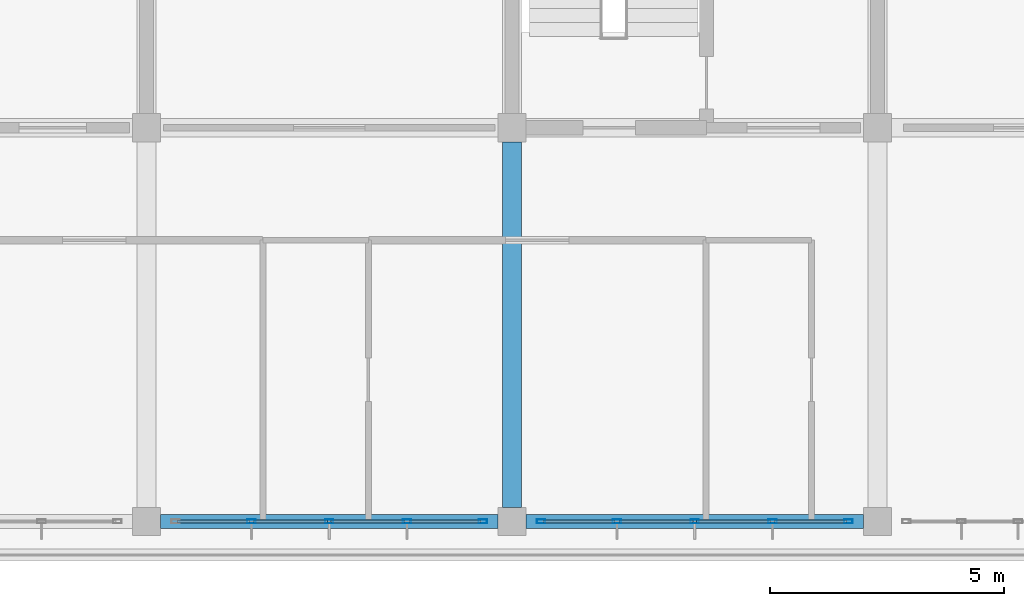
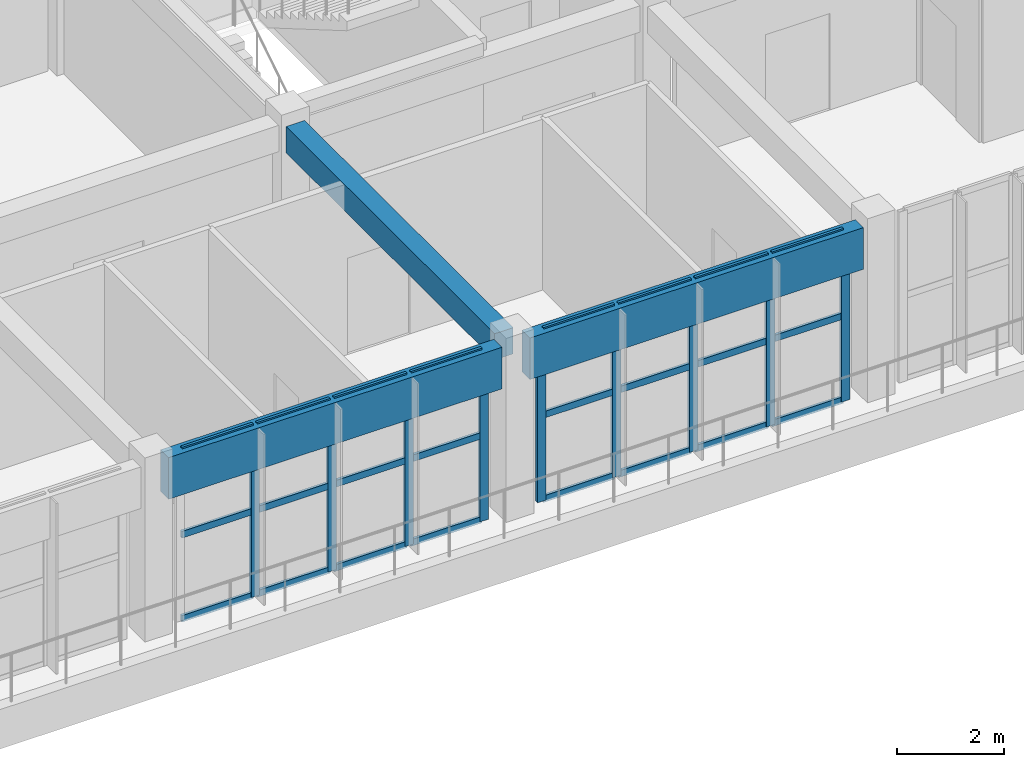
# One storey, part 20 of 50: 33 members, 3 beams, 2 elements without a shape of their own.
"""IFC4 building model written with IfcOpenShell, lengths in metres."""

from ifc_helpers import new_model, si_unit, direction, frame, origin, origin_2d, place, context, subcontext, project, spatial, rectangle, hollow_rectangle, extrude, material, layer, layer_set, material_profile, profile_set, type_object, element, aggregate, save


model = new_model("IFC4")

# Units and contexts
model_context = context("Model", 3, precision=1e-05, world=origin(), true_north=direction((0.0, 1.0)))
body_context = subcontext(model_context, "Body", "Model", "MODEL_VIEW")
ifc_project = project(units=[si_unit("LENGTHUNIT", "METRE"), si_unit("AREAUNIT", "SQUARE_METRE"), si_unit("VOLUMEUNIT", "CUBIC_METRE"), si_unit("PLANEANGLEUNIT", "RADIAN"), si_unit("MASSUNIT", "GRAM", prefix="KILO")], contexts=[model_context])

# Site, building, storey
site_placement = place(None, origin())
site = spatial("IfcSite", under=ifc_project, at=site_placement, CompositionType="ELEMENT")
building_placement = place(site_placement, origin())
building = spatial("IfcBuilding", under=site, at=building_placement, Name="Zizhar Promenade General Hospital", CompositionType="ELEMENT")
storey_placement = place(building_placement, frame((0.0, 0.0, 30.60009765625)))
storey = spatial("IfcBuildingStorey", under=building, at=storey_placement, Name="L07", CompositionType="ELEMENT", Elevation=30.60009765625)

# Beams
ifc_material_1 = material(Name="Precast concrete C40/50", Category="concrete")
ifc_material_profile_1 = material_profile(ifc_material_1, rectangle(XDim=0.300048828125, YDim=0.949951171875, at=origin_2d()))
ifc_profile_set_1 = profile_set([ifc_material_profile_1], Name="Precast concrete C40/50")
beam_type_1 = type_object("IfcBeamType", Name="BM-PC-BAND950", PredefinedType="SPANDREL", material=ifc_profile_set_1)
beam_1_placement = place(storey_placement, frame((86.10009765625, 0.0, 3.434814453125), z_axis=(1.0, 0.0, 0.0), x_axis=(0.0, 1.0, 0.0)))
element("IfcBeam", 1, at=beam_1_placement, inside=storey, type_object=beam_type_1, Name="Grid Beam X L07 (11-0)", PredefinedType="SPANDREL", context=body_context, shape_type="SweptSolid", body=[
    extrude(rectangle(XDim=0.300048828125, YDim=0.949951171875, at=origin_2d()), origin(), (0.0, 0.0, 1.0), 7.199951171875),
])
beam_2_placement = place(storey_placement, frame((93.89990234375, 0.0, 3.434814453125), z_axis=(1.0, 0.0, 0.0), x_axis=(0.0, 1.0, 0.0)))
element("IfcBeam", 2, at=beam_2_placement, inside=storey, type_object=beam_type_1, Name="Grid Beam X L07 (12-0)", PredefinedType="SPANDREL", context=body_context, shape_type="SweptSolid", body=[
    extrude(rectangle(XDim=0.300048828125, YDim=0.949951171875, at=origin_2d()), origin(), (0.0, 0.0, 1.0), 7.2001953125),
])
ifc_material_2 = material(Name="Concrete C35/45", Category="concrete")
ifc_material_profile_2 = material_profile(ifc_material_2, rectangle(XDim=0.39990234375, YDim=0.60009765625, at=origin_2d()))
ifc_profile_set_2 = profile_set([ifc_material_profile_2], Name="Concrete C35/45")
beam_type_2 = type_object("IfcBeamType", Name="BM-RC-400x600", PredefinedType="JOIST", material=ifc_profile_set_2)
beam_3_placement = place(storey_placement, frame((93.60009765625, 0.300048828125, 3.60986328125), z_axis=(0.0, 1.0, 0.0), x_axis=(-1.0, 0.0, 0.0)))
element("IfcBeam", 3, at=beam_3_placement, inside=storey, type_object=beam_type_2, Name="Grid Beam Y L07 (12-0)", PredefinedType="JOIST", context=body_context, shape_type="SweptSolid", body=[
    extrude(rectangle(XDim=0.39990234375, YDim=0.60009765625, at=origin_2d()), origin(), (0.0, 0.0, 1.0), 7.800048828125),
])

# Curtain wall, members
ifc_material_3 = material(Name="Anodised aluminium 6063-T6 and low-E glass", Category="aluminium")
ifc_layer = layer(ifc_material_3, 0.159912109375)
ifc_layer_set = layer_set([ifc_layer], Name="Anodised aluminium 6063-T6 and low-E glass")
curtain_wall_type = type_object("IfcCurtainWallType", Name="CW-WARD-RIB", PredefinedType="NOTDEFINED", material=ifc_layer_set)
curtain_wall_1_placement = place(storey_placement, origin())
curtain_wall_1 = element("IfcCurtainWall", 4, at=curtain_wall_1_placement, inside=storey, type_object=curtain_wall_type, Name="Ward Ribbon Curtain Wall L07-17-1", PredefinedType="NOTDEFINED")
ifc_material_4 = material(Name="Anodised aluminium 6063-T6", Category="aluminium")
ifc_material_profile_3 = material_profile(ifc_material_4, hollow_rectangle(XDim=0.080078125, YDim=0.179931640625, WallThickness=0.0048828125, at=origin_2d()))
ifc_profile_set_3 = profile_set([ifc_material_profile_3], Name="Anodised aluminium 6063-T6")
member_type_1 = type_object("IfcMemberType", Name="CWM-ALU-180x80", PredefinedType="MULLION", material=ifc_profile_set_3)
member_1_placement = place(storey_placement, frame((100.780029296875, 0.0, 0.0), z_axis=(0.0, 0.0, 1.0), x_axis=(0.0, -1.0, 0.0)))
member_1 = element("IfcMember", 5, at=member_1_placement, type_object=member_type_1, Name="CW-13 mullion 1", PredefinedType="MULLION", context=body_context, shape_type="SweptSolid", body=[
    extrude(hollow_rectangle(XDim=0.080078125, YDim=0.179931640625, WallThickness=0.0048828125, at=origin_2d()), origin(), (0.0, 0.0, 1.0), 3.89990234375),
])
member_2_placement = place(storey_placement, frame((99.159912109375, 0.0, 0.0), z_axis=(0.0, 0.0, 1.0), x_axis=(0.0, -1.0, 0.0)))
member_2 = element("IfcMember", 6, at=member_2_placement, type_object=member_type_1, Name="CW-13 mullion 2", PredefinedType="MULLION", context=body_context, shape_type="SweptSolid", body=[
    extrude(hollow_rectangle(XDim=0.080078125, YDim=0.179931640625, WallThickness=0.0048828125, at=origin_2d()), origin(), (0.0, 0.0, 1.0), 3.89990234375),
])
member_3_placement = place(storey_placement, frame((97.5, 0.0, 0.0), z_axis=(0.0, 0.0, 1.0), x_axis=(0.0, -1.0, 0.0)))
member_3 = element("IfcMember", 7, at=member_3_placement, type_object=member_type_1, Name="CW-13 mullion 3", PredefinedType="MULLION", context=body_context, shape_type="SweptSolid", body=[
    extrude(hollow_rectangle(XDim=0.080078125, YDim=0.179931640625, WallThickness=0.0048828125, at=origin_2d()), origin(), (0.0, 0.0, 1.0), 3.89990234375),
])
member_4_placement = place(storey_placement, frame((95.840087890625, 0.0, 0.0), z_axis=(0.0, 0.0, 1.0), x_axis=(0.0, -1.0, 0.0)))
member_4 = element("IfcMember", 8, at=member_4_placement, type_object=member_type_1, Name="CW-13 mullion 4", PredefinedType="MULLION", context=body_context, shape_type="SweptSolid", body=[
    extrude(hollow_rectangle(XDim=0.080078125, YDim=0.179931640625, WallThickness=0.0048828125, at=origin_2d()), origin(), (0.0, 0.0, 1.0), 3.89990234375),
])
member_5_placement = place(storey_placement, frame((94.219970703125, 0.0, 0.0), z_axis=(0.0, 0.0, 1.0), x_axis=(0.0, -1.0, 0.0)))
member_5 = element("IfcMember", 9, at=member_5_placement, type_object=member_type_1, Name="CW-13 mullion 5", PredefinedType="MULLION", context=body_context, shape_type="SweptSolid", body=[
    extrude(hollow_rectangle(XDim=0.080078125, YDim=0.179931640625, WallThickness=0.0048828125, at=origin_2d()), origin(), (0.0, 0.0, 1.0), 3.89990234375),
])

curtain_wall_2_placement = place(storey_placement, origin())
curtain_wall_2 = element("IfcCurtainWall", 10, at=curtain_wall_2_placement, inside=storey, type_object=curtain_wall_type, Name="Ward Ribbon Curtain Wall L07-17-2", PredefinedType="NOTDEFINED")
member_6_placement = place(storey_placement, frame((92.97998046875, 0.0, 0.0), z_axis=(0.0, 0.0, 1.0), x_axis=(0.0, -1.0, 0.0)))
member_6 = element("IfcMember", 11, at=member_6_placement, type_object=member_type_1, Name="CW-13 mullion 1", PredefinedType="MULLION", context=body_context, shape_type="SweptSolid", body=[
    extrude(hollow_rectangle(XDim=0.080078125, YDim=0.179931640625, WallThickness=0.0048828125, at=origin_2d()), origin(), (0.0, 0.0, 1.0), 3.89990234375),
])
member_7_placement = place(storey_placement, frame((91.360107421875, 0.0, 0.0), z_axis=(0.0, 0.0, 1.0), x_axis=(0.0, -1.0, 0.0)))
member_7 = element("IfcMember", 12, at=member_7_placement, type_object=member_type_1, Name="CW-13 mullion 2", PredefinedType="MULLION", context=body_context, shape_type="SweptSolid", body=[
    extrude(hollow_rectangle(XDim=0.080078125, YDim=0.179931640625, WallThickness=0.0048828125, at=origin_2d()), origin(), (0.0, 0.0, 1.0), 3.89990234375),
])
member_8_placement = place(storey_placement, frame((89.699951171875, 0.0, 0.0), z_axis=(0.0, 0.0, 1.0), x_axis=(0.0, -1.0, 0.0)))
member_8 = element("IfcMember", 13, at=member_8_placement, type_object=member_type_1, Name="CW-13 mullion 3", PredefinedType="MULLION", context=body_context, shape_type="SweptSolid", body=[
    extrude(hollow_rectangle(XDim=0.080078125, YDim=0.179931640625, WallThickness=0.0048828125, at=origin_2d()), origin(), (0.0, 0.0, 1.0), 3.89990234375),
])
member_9_placement = place(storey_placement, frame((88.0400390625, 0.0, 0.0), z_axis=(0.0, 0.0, 1.0), x_axis=(0.0, -1.0, 0.0)))
member_9 = element("IfcMember", 14, at=member_9_placement, type_object=member_type_1, Name="CW-13 mullion 4", PredefinedType="MULLION", context=body_context, shape_type="SweptSolid", body=[
    extrude(hollow_rectangle(XDim=0.080078125, YDim=0.179931640625, WallThickness=0.0048828125, at=origin_2d()), origin(), (0.0, 0.0, 1.0), 3.89990234375),
])

# Member
ifc_material_5 = material(Name="Anodised aluminium 6063-T6", Category="aluminium")
ifc_material_profile_4 = material_profile(ifc_material_5, hollow_rectangle(XDim=0.06005859375, YDim=0.14990234375, WallThickness=0.00390625, at=origin_2d()))
ifc_profile_set_4 = profile_set([ifc_material_profile_4], Name="Anodised aluminium 6063-T6")
member_type_2 = type_object("IfcMemberType", Name="CWT-ALU-150x60", PredefinedType="USERDEFINED", material=ifc_profile_set_4)
member_10_placement = place(storey_placement, frame((100.739990234375, 0.0, 0.02978515625), z_axis=(-1.0, 0.0, 0.0), x_axis=(0.0, -1.0, 0.0)))
member_10 = element("IfcMember", 15, at=member_10_placement, type_object=member_type_2, Name="CW-13 transom 1.1", ObjectType="TRANSOM", PredefinedType="USERDEFINED", context=body_context, shape_type="SweptSolid", body=[
    extrude(hollow_rectangle(XDim=0.06005859375, YDim=0.14990234375, WallThickness=0.00390625, at=origin_2d()), origin(), (0.0, 0.0, 1.0), 1.5400390625),
])

member_11_placement = place(storey_placement, frame((100.739990234375, 0.0, 1.949951171875), z_axis=(-1.0, 0.0, 0.0), x_axis=(0.0, -1.0, 0.0)))
member_11 = element("IfcMember", 16, at=member_11_placement, type_object=member_type_2, Name="CW-13 transom 1.2", ObjectType="TRANSOM", PredefinedType="USERDEFINED", context=body_context, shape_type="SweptSolid", body=[
    extrude(hollow_rectangle(XDim=0.06005859375, YDim=0.14990234375, WallThickness=0.00390625, at=origin_2d()), origin(), (0.0, 0.0, 1.0), 1.5400390625),
])

member_12_placement = place(storey_placement, frame((100.739990234375, 0.0, 3.869873046875), z_axis=(-1.0, 0.0, 0.0), x_axis=(0.0, -1.0, 0.0)))
member_12 = element("IfcMember", 17, at=member_12_placement, type_object=member_type_2, Name="CW-13 transom 1.3", ObjectType="TRANSOM", PredefinedType="USERDEFINED", context=body_context, shape_type="SweptSolid", body=[
    extrude(hollow_rectangle(XDim=0.06005859375, YDim=0.14990234375, WallThickness=0.00390625, at=origin_2d()), origin(), (0.0, 0.0, 1.0), 1.5400390625),
])

member_13_placement = place(storey_placement, frame((99.1201171875, 0.0, 0.02978515625), z_axis=(-1.0, 0.0, 0.0), x_axis=(0.0, -1.0, 0.0)))
member_13 = element("IfcMember", 18, at=member_13_placement, type_object=member_type_2, Name="CW-13 transom 2.1", ObjectType="TRANSOM", PredefinedType="USERDEFINED", context=body_context, shape_type="SweptSolid", body=[
    extrude(hollow_rectangle(XDim=0.06005859375, YDim=0.14990234375, WallThickness=0.00390625, at=origin_2d()), origin(), (0.0, 0.0, 1.0), 1.580078125),
])

member_14_placement = place(storey_placement, frame((99.1201171875, 0.0, 1.949951171875), z_axis=(-1.0, 0.0, 0.0), x_axis=(0.0, -1.0, 0.0)))
member_14 = element("IfcMember", 19, at=member_14_placement, type_object=member_type_2, Name="CW-13 transom 2.2", ObjectType="TRANSOM", PredefinedType="USERDEFINED", context=body_context, shape_type="SweptSolid", body=[
    extrude(hollow_rectangle(XDim=0.06005859375, YDim=0.14990234375, WallThickness=0.00390625, at=origin_2d()), origin(), (0.0, 0.0, 1.0), 1.580078125),
])

member_15_placement = place(storey_placement, frame((99.1201171875, 0.0, 3.869873046875), z_axis=(-1.0, 0.0, 0.0), x_axis=(0.0, -1.0, 0.0)))
member_15 = element("IfcMember", 20, at=member_15_placement, type_object=member_type_2, Name="CW-13 transom 2.3", ObjectType="TRANSOM", PredefinedType="USERDEFINED", context=body_context, shape_type="SweptSolid", body=[
    extrude(hollow_rectangle(XDim=0.06005859375, YDim=0.14990234375, WallThickness=0.00390625, at=origin_2d()), origin(), (0.0, 0.0, 1.0), 1.580078125),
])

member_16_placement = place(storey_placement, frame((97.4599609375, 0.0, 0.02978515625), z_axis=(-1.0, 0.0, 0.0), x_axis=(0.0, -1.0, 0.0)))
member_16 = element("IfcMember", 21, at=member_16_placement, type_object=member_type_2, Name="CW-13 transom 3.1", ObjectType="TRANSOM", PredefinedType="USERDEFINED", context=body_context, shape_type="SweptSolid", body=[
    extrude(hollow_rectangle(XDim=0.06005859375, YDim=0.14990234375, WallThickness=0.00390625, at=origin_2d()), origin(), (0.0, 0.0, 1.0), 1.580078125),
])

member_17_placement = place(storey_placement, frame((97.4599609375, 0.0, 1.949951171875), z_axis=(-1.0, 0.0, 0.0), x_axis=(0.0, -1.0, 0.0)))
member_17 = element("IfcMember", 22, at=member_17_placement, type_object=member_type_2, Name="CW-13 transom 3.2", ObjectType="TRANSOM", PredefinedType="USERDEFINED", context=body_context, shape_type="SweptSolid", body=[
    extrude(hollow_rectangle(XDim=0.06005859375, YDim=0.14990234375, WallThickness=0.00390625, at=origin_2d()), origin(), (0.0, 0.0, 1.0), 1.580078125),
])

member_18_placement = place(storey_placement, frame((97.4599609375, 0.0, 3.869873046875), z_axis=(-1.0, 0.0, 0.0), x_axis=(0.0, -1.0, 0.0)))
member_18 = element("IfcMember", 23, at=member_18_placement, type_object=member_type_2, Name="CW-13 transom 3.3", ObjectType="TRANSOM", PredefinedType="USERDEFINED", context=body_context, shape_type="SweptSolid", body=[
    extrude(hollow_rectangle(XDim=0.06005859375, YDim=0.14990234375, WallThickness=0.00390625, at=origin_2d()), origin(), (0.0, 0.0, 1.0), 1.580078125),
])

member_19_placement = place(storey_placement, frame((95.800048828125, 0.0, 0.02978515625), z_axis=(-1.0, 0.0, 0.0), x_axis=(0.0, -1.0, 0.0)))
member_19 = element("IfcMember", 24, at=member_19_placement, type_object=member_type_2, Name="CW-13 transom 4.1", ObjectType="TRANSOM", PredefinedType="USERDEFINED", context=body_context, shape_type="SweptSolid", body=[
    extrude(hollow_rectangle(XDim=0.06005859375, YDim=0.14990234375, WallThickness=0.00390625, at=origin_2d()), origin(), (0.0, 0.0, 1.0), 1.5400390625),
])

member_20_placement = place(storey_placement, frame((95.800048828125, 0.0, 1.949951171875), z_axis=(-1.0, 0.0, 0.0), x_axis=(0.0, -1.0, 0.0)))
member_20 = element("IfcMember", 25, at=member_20_placement, type_object=member_type_2, Name="CW-13 transom 4.2", ObjectType="TRANSOM", PredefinedType="USERDEFINED", context=body_context, shape_type="SweptSolid", body=[
    extrude(hollow_rectangle(XDim=0.06005859375, YDim=0.14990234375, WallThickness=0.00390625, at=origin_2d()), origin(), (0.0, 0.0, 1.0), 1.5400390625),
])

member_21_placement = place(storey_placement, frame((95.800048828125, 0.0, 3.869873046875), z_axis=(-1.0, 0.0, 0.0), x_axis=(0.0, -1.0, 0.0)))
member_21 = element("IfcMember", 26, at=member_21_placement, type_object=member_type_2, Name="CW-13 transom 4.3", ObjectType="TRANSOM", PredefinedType="USERDEFINED", context=body_context, shape_type="SweptSolid", body=[
    extrude(hollow_rectangle(XDim=0.06005859375, YDim=0.14990234375, WallThickness=0.00390625, at=origin_2d()), origin(), (0.0, 0.0, 1.0), 1.5400390625),
])

aggregate(curtain_wall_1, [member_1, member_2, member_3, member_4, member_5, member_10, member_11, member_12, member_13, member_14, member_15, member_16, member_17, member_18, member_19, member_20, member_21])

member_22_placement = place(storey_placement, frame((92.93994140625, 0.0, 0.02978515625), z_axis=(-1.0, 0.0, 0.0), x_axis=(0.0, -1.0, 0.0)))
member_22 = element("IfcMember", 27, at=member_22_placement, type_object=member_type_2, Name="CW-13 transom 1.1", ObjectType="TRANSOM", PredefinedType="USERDEFINED", context=body_context, shape_type="SweptSolid", body=[
    extrude(hollow_rectangle(XDim=0.06005859375, YDim=0.14990234375, WallThickness=0.00390625, at=origin_2d()), origin(), (0.0, 0.0, 1.0), 1.5400390625),
])

member_23_placement = place(storey_placement, frame((92.93994140625, 0.0, 1.949951171875), z_axis=(-1.0, 0.0, 0.0), x_axis=(0.0, -1.0, 0.0)))
member_23 = element("IfcMember", 28, at=member_23_placement, type_object=member_type_2, Name="CW-13 transom 1.2", ObjectType="TRANSOM", PredefinedType="USERDEFINED", context=body_context, shape_type="SweptSolid", body=[
    extrude(hollow_rectangle(XDim=0.06005859375, YDim=0.14990234375, WallThickness=0.00390625, at=origin_2d()), origin(), (0.0, 0.0, 1.0), 1.5400390625),
])

member_24_placement = place(storey_placement, frame((92.93994140625, 0.0, 3.869873046875), z_axis=(-1.0, 0.0, 0.0), x_axis=(0.0, -1.0, 0.0)))
member_24 = element("IfcMember", 29, at=member_24_placement, type_object=member_type_2, Name="CW-13 transom 1.3", ObjectType="TRANSOM", PredefinedType="USERDEFINED", context=body_context, shape_type="SweptSolid", body=[
    extrude(hollow_rectangle(XDim=0.06005859375, YDim=0.14990234375, WallThickness=0.00390625, at=origin_2d()), origin(), (0.0, 0.0, 1.0), 1.5400390625),
])

member_25_placement = place(storey_placement, frame((91.320068359375, 0.0, 0.02978515625), z_axis=(-1.0, 0.0, 0.0), x_axis=(0.0, -1.0, 0.0)))
member_25 = element("IfcMember", 30, at=member_25_placement, type_object=member_type_2, Name="CW-13 transom 2.1", ObjectType="TRANSOM", PredefinedType="USERDEFINED", context=body_context, shape_type="SweptSolid", body=[
    extrude(hollow_rectangle(XDim=0.06005859375, YDim=0.14990234375, WallThickness=0.00390625, at=origin_2d()), origin(), (0.0, 0.0, 1.0), 1.580078125),
])

member_26_placement = place(storey_placement, frame((91.320068359375, 0.0, 1.949951171875), z_axis=(-1.0, 0.0, 0.0), x_axis=(0.0, -1.0, 0.0)))
member_26 = element("IfcMember", 31, at=member_26_placement, type_object=member_type_2, Name="CW-13 transom 2.2", ObjectType="TRANSOM", PredefinedType="USERDEFINED", context=body_context, shape_type="SweptSolid", body=[
    extrude(hollow_rectangle(XDim=0.06005859375, YDim=0.14990234375, WallThickness=0.00390625, at=origin_2d()), origin(), (0.0, 0.0, 1.0), 1.580078125),
])

member_27_placement = place(storey_placement, frame((91.320068359375, 0.0, 3.869873046875), z_axis=(-1.0, 0.0, 0.0), x_axis=(0.0, -1.0, 0.0)))
member_27 = element("IfcMember", 32, at=member_27_placement, type_object=member_type_2, Name="CW-13 transom 2.3", ObjectType="TRANSOM", PredefinedType="USERDEFINED", context=body_context, shape_type="SweptSolid", body=[
    extrude(hollow_rectangle(XDim=0.06005859375, YDim=0.14990234375, WallThickness=0.00390625, at=origin_2d()), origin(), (0.0, 0.0, 1.0), 1.580078125),
])

member_28_placement = place(storey_placement, frame((89.659912109375, 0.0, 0.02978515625), z_axis=(-1.0, 0.0, 0.0), x_axis=(0.0, -1.0, 0.0)))
member_28 = element("IfcMember", 33, at=member_28_placement, type_object=member_type_2, Name="CW-13 transom 3.1", ObjectType="TRANSOM", PredefinedType="USERDEFINED", context=body_context, shape_type="SweptSolid", body=[
    extrude(hollow_rectangle(XDim=0.06005859375, YDim=0.14990234375, WallThickness=0.00390625, at=origin_2d()), origin(), (0.0, 0.0, 1.0), 1.579833984375),
])

member_29_placement = place(storey_placement, frame((89.659912109375, 0.0, 1.949951171875), z_axis=(-1.0, 0.0, 0.0), x_axis=(0.0, -1.0, 0.0)))
member_29 = element("IfcMember", 34, at=member_29_placement, type_object=member_type_2, Name="CW-13 transom 3.2", ObjectType="TRANSOM", PredefinedType="USERDEFINED", context=body_context, shape_type="SweptSolid", body=[
    extrude(hollow_rectangle(XDim=0.06005859375, YDim=0.14990234375, WallThickness=0.00390625, at=origin_2d()), origin(), (0.0, 0.0, 1.0), 1.579833984375),
])

member_30_placement = place(storey_placement, frame((89.659912109375, 0.0, 3.869873046875), z_axis=(-1.0, 0.0, 0.0), x_axis=(0.0, -1.0, 0.0)))
member_30 = element("IfcMember", 35, at=member_30_placement, type_object=member_type_2, Name="CW-13 transom 3.3", ObjectType="TRANSOM", PredefinedType="USERDEFINED", context=body_context, shape_type="SweptSolid", body=[
    extrude(hollow_rectangle(XDim=0.06005859375, YDim=0.14990234375, WallThickness=0.00390625, at=origin_2d()), origin(), (0.0, 0.0, 1.0), 1.579833984375),
])

member_31_placement = place(storey_placement, frame((88.0, 0.0, 0.02978515625), z_axis=(-1.0, 0.0, 0.0), x_axis=(0.0, -1.0, 0.0)))
member_31 = element("IfcMember", 36, at=member_31_placement, type_object=member_type_2, Name="CW-13 transom 4.1", ObjectType="TRANSOM", PredefinedType="USERDEFINED", context=body_context, shape_type="SweptSolid", body=[
    extrude(hollow_rectangle(XDim=0.06005859375, YDim=0.14990234375, WallThickness=0.00390625, at=origin_2d()), origin(), (0.0, 0.0, 1.0), 1.5400390625),
])

member_32_placement = place(storey_placement, frame((88.0, 0.0, 1.949951171875), z_axis=(-1.0, 0.0, 0.0), x_axis=(0.0, -1.0, 0.0)))
member_32 = element("IfcMember", 37, at=member_32_placement, type_object=member_type_2, Name="CW-13 transom 4.2", ObjectType="TRANSOM", PredefinedType="USERDEFINED", context=body_context, shape_type="SweptSolid", body=[
    extrude(hollow_rectangle(XDim=0.06005859375, YDim=0.14990234375, WallThickness=0.00390625, at=origin_2d()), origin(), (0.0, 0.0, 1.0), 1.5400390625),
])

member_33_placement = place(storey_placement, frame((88.0, 0.0, 3.869873046875), z_axis=(-1.0, 0.0, 0.0), x_axis=(0.0, -1.0, 0.0)))
member_33 = element("IfcMember", 38, at=member_33_placement, type_object=member_type_2, Name="CW-13 transom 4.3", ObjectType="TRANSOM", PredefinedType="USERDEFINED", context=body_context, shape_type="SweptSolid", body=[
    extrude(hollow_rectangle(XDim=0.06005859375, YDim=0.14990234375, WallThickness=0.00390625, at=origin_2d()), origin(), (0.0, 0.0, 1.0), 1.5400390625),
])

aggregate(curtain_wall_2, [member_6, member_7, member_8, member_9, member_22, member_23, member_24, member_25, member_26, member_27, member_28, member_29, member_30, member_31, member_32, member_33])

save(model, "model.ifc")
